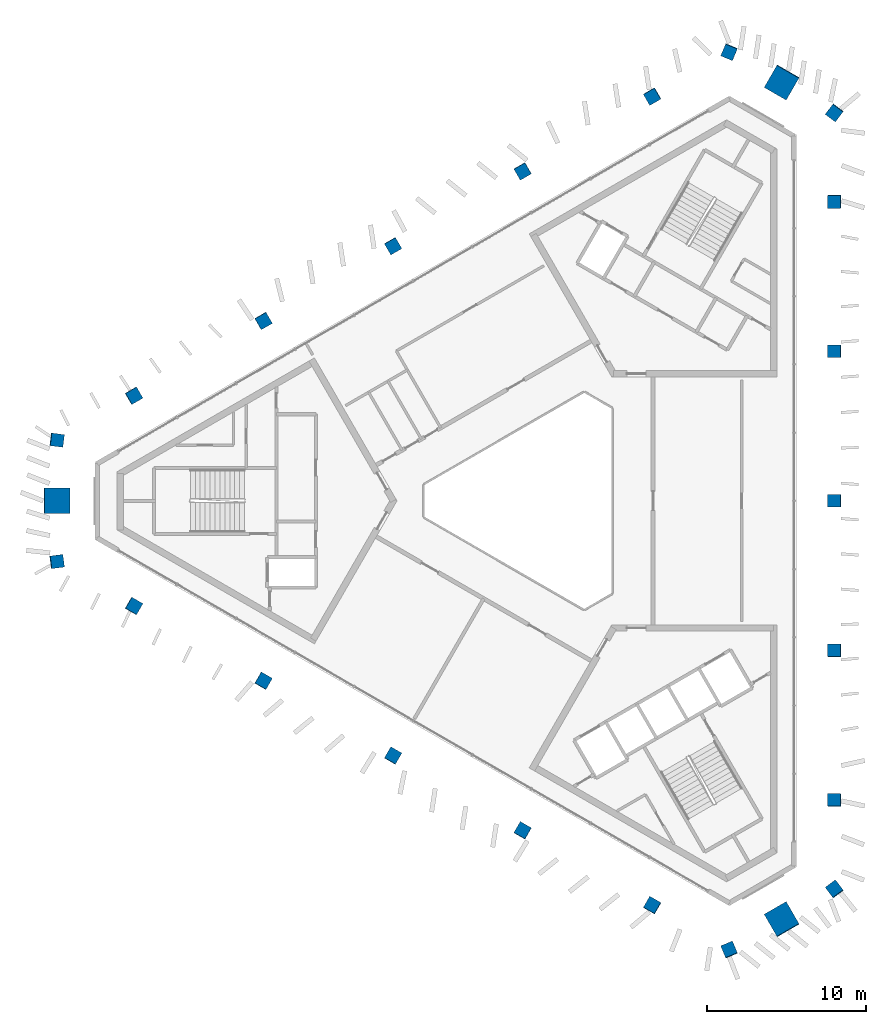
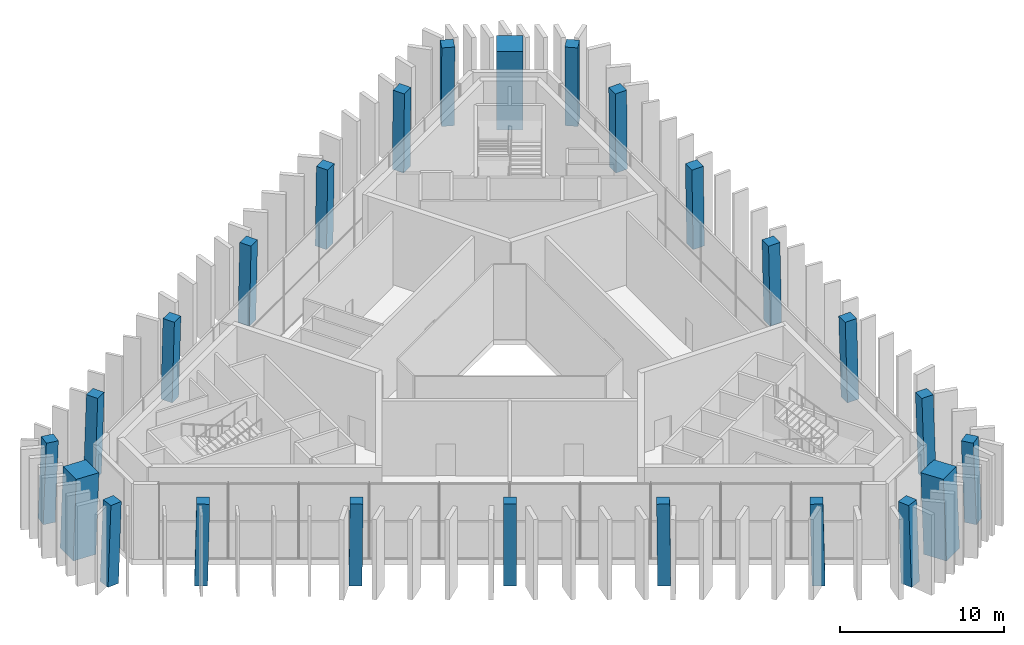
# One storey, part 1 of 12: 24 columns.
"""IFC4 building model written with IfcOpenShell, lengths in metres."""

import ifcopenshell
import ifcopenshell.guid

model = None  # the IFC model being written
_history = None  # IfcOwnerHistory: only IFC2X3 demands one
_inside = {}  # id of a spatial element -> (the spatial element, [elements in it])
_under = {}  # id of a project, library or spatial element -> (it, [spatial elements below it])
_declared = {}  # id of a project -> (the project, [libraries it declares])
_typed = {}  # id of a type object -> (the type object, [elements of that type])
_made_of = {}  # id of a material, layer set ... -> (it, [elements and type objects made of it])


def new_model(schema):
    """Start an empty IFC model of exactly this schema.

    Asked for "IFC4X3", IfcOpenShell would pick the latest addendum, in which some entities
    have other attributes; the version numbers below select the first issue.
    IFC2X3 requires an IfcOwnerHistory on every rooted entity: one is made here for all.
    """
    global model, _history
    if schema == "IFC4X3":
        model = ifcopenshell.file(schema_version=(4, 3, 0, 0))
    else:
        model = ifcopenshell.file(schema=schema)
    _inside.clear()
    _under.clear()
    _declared.clear()
    _typed.clear()
    _made_of.clear()
    _history = None
    if model.schema == "IFC2X3":
        org = make("IfcOrganization", Name="unknown")
        user = make(
            "IfcPersonAndOrganization",
            ThePerson=make("IfcPerson", FamilyName="unknown"),
            TheOrganization=org,
        )
        app = make(
            "IfcApplication",
            ApplicationDeveloper=org,
            Version="unknown",
            ApplicationFullName="unknown",
            ApplicationIdentifier="unknown",
        )
        _history = make(
            "IfcOwnerHistory",
            OwningUser=user,
            OwningApplication=app,
            ChangeAction="ADDED",
            CreationDate=0,
        )
    return model


def make(cls, **values):
    """One entity of the class cls with the attributes given. An attribute that is None is left unset."""
    return model.create_entity(
        cls, **{name: value for name, value in values.items() if value is not None}
    )


def rooted(cls, **values):
    """An entity with a GlobalId (a new one), such as an element, a storey or a relation."""
    return make(cls, GlobalId=ifcopenshell.guid.new(), OwnerHistory=_history, **values)


def si_unit(unit_type, name, prefix=None):
    """IfcSIUnit, for example si_unit("LENGTHUNIT", "METRE", prefix="MILLI")."""
    return make("IfcSIUnit", UnitType=unit_type, Prefix=prefix, Name=name)


def assignment(units):
    """IfcUnitAssignment: the units of a project."""
    return None if units is None else make("IfcUnitAssignment", Units=units)


def point(xyz):
    """IfcCartesianPoint."""
    return None if xyz is None else make("IfcCartesianPoint", Coordinates=xyz)


def direction(xyz):
    """IfcDirection."""
    return None if xyz is None else make("IfcDirection", DirectionRatios=xyz)


def frame(location, z_axis=None, x_axis=None):
    """IfcAxis2Placement3D, a coordinate frame: its origin and axes. An axis left out is left unset."""
    return make(
        "IfcAxis2Placement3D",
        Location=point(location),
        Axis=direction(z_axis),
        RefDirection=direction(x_axis),
    )


def frame_2d(location, x_axis=None):
    """IfcAxis2Placement2D, a coordinate frame in the plane: its origin and x axis."""
    return make(
        "IfcAxis2Placement2D", Location=point(location), RefDirection=direction(x_axis)
    )


def origin():
    """The frame at (0, 0, 0) with its axes left unset."""
    return frame((0.0, 0.0, 0.0))


def origin_2d():
    """The frame at (0, 0) in the plane with its x axis left unset."""
    return frame_2d((0.0, 0.0))


def place(relative_to, where):
    """IfcLocalPlacement: puts the frame where relative to a parent placement (None: the world)."""
    return make(
        "IfcLocalPlacement", PlacementRelTo=relative_to, RelativePlacement=where
    )


def context(
    kind, dimensions, precision=None, world=None, true_north=None, identifier=None
):
    """IfcGeometricRepresentationContext, for example the 3D "Model" context."""
    return make(
        "IfcGeometricRepresentationContext",
        ContextIdentifier=identifier,
        ContextType=kind,
        CoordinateSpaceDimension=dimensions,
        Precision=precision,
        WorldCoordinateSystem=world,
        TrueNorth=true_north,
    )


def subcontext(parent, identifier, kind, view, scale=None):
    """IfcGeometricRepresentationSubContext, for example "Body" below "Model"."""
    return make(
        "IfcGeometricRepresentationSubContext",
        ContextIdentifier=identifier,
        ContextType=kind,
        ParentContext=parent,
        TargetScale=scale,
        TargetView=view,
    )


def project(units=None, contexts=None):
    """IfcProject with its units and contexts."""
    return rooted(
        "IfcProject",
        Name="project",
        RepresentationContexts=contexts,
        UnitsInContext=assignment(units),
    )


def spatial(cls, under=None, at=None, **own):
    """A site, building, storey or space (cls), placed at a placement, below another one or the project."""
    s = rooted(cls, ObjectPlacement=at, **own)
    if under is not None:
        _under.setdefault(under.id(), (under, []))[1].append(s)
    return s


def profile(cls, at=None, kind="AREA", **sizes):
    """A parametric profile (cls). Its sizes go by their IFC names, for example OverallWidth=200.0."""
    return make(cls, ProfileType=kind, Position=at, **sizes)


def rectangle(**sizes):
    """IfcRectangleProfileDef."""
    return profile("IfcRectangleProfileDef", **sizes)


def extrude(swept, where, along, depth):
    """IfcExtrudedAreaSolid: the profile swept, set in the frame where, extruded along a direction by depth."""
    return make(
        "IfcExtrudedAreaSolid",
        SweptArea=swept,
        Position=where,
        ExtrudedDirection=direction(along),
        Depth=depth,
    )


def shape(context_of_items, identifier, shape_type, items):
    """IfcShapeRepresentation: the items that make up one representation, for example the "Body"."""
    return make(
        "IfcShapeRepresentation",
        ContextOfItems=context_of_items,
        RepresentationIdentifier=identifier,
        RepresentationType=shape_type,
        Items=items,
    )


def material(Name=None, Category=None):
    """IfcMaterial."""
    return make("IfcMaterial", Name=Name, Category=Category)


def material_profile(
    of_material, cross_section, Name=None, Category=None, Priority=None
):
    """IfcMaterialProfile: a cross section and its material."""
    return make(
        "IfcMaterialProfile",
        Name=Name,
        Material=of_material,
        Profile=cross_section,
        Priority=Priority,
        Category=Category,
    )


def profile_set(profiles, Name=None, composite=None):
    """IfcMaterialProfileSet."""
    return make(
        "IfcMaterialProfileSet",
        Name=Name,
        MaterialProfiles=profiles,
        CompositeProfile=composite,
    )


def made_of(thing, what):
    """Note that an element or type object is made of a material, layer set ...; save() writes the relation."""
    if what is not None:
        _made_of.setdefault(what.id(), (what, []))[1].append(thing)
    return thing


def type_object(cls, material=None, **own):
    """A type object (cls), such as IfcWallType, which elements share."""
    return made_of(rooted(cls, **own), material)


def element(
    cls,
    number,
    at=None,
    inside=None,
    cuts=None,
    type_object=None,
    material=None,
    context=None,
    identifier="Body",
    shape_type=None,
    held_by="IfcProductDefinitionShape",
    body=None,
    shapes=None,
    **own,
):
    """One element of the class cls, such as IfcWall. Its Tag is "e" and its number.

    at: its placement. inside: the storey or other place that contains it. cuts: it is an
    opening in that element (IfcRelVoidsElement). A single representation is given by context,
    identifier, shape_type and body (its items); several are given by shapes. held_by: the class
    of the entity that holds the representations. save() writes the other relations.
    """
    e = rooted(cls, Tag="e%d" % number, ObjectPlacement=at, **own)
    if body is not None:
        shapes = [shape(context, identifier, shape_type, body)]
    if shapes is not None:
        e.Representation = make(held_by, Representations=shapes)
    if inside is not None:
        _inside.setdefault(inside.id(), (inside, []))[1].append(e)
    if cuts is not None:
        rooted(
            "IfcRelVoidsElement", RelatingBuildingElement=cuts, RelatedOpeningElement=e
        )
    if type_object is not None:
        _typed.setdefault(type_object.id(), (type_object, []))[1].append(e)
    return made_of(e, material)


def aggregate(whole, parts):
    """IfcRelAggregates: a whole, such as a stair, and the parts it consists of."""
    return rooted("IfcRelAggregates", RelatingObject=whole, RelatedObjects=parts)


def save(model, path):
    """Write the relations noted so far, then the file.

    IfcRelAggregates (storeys below a building ...), IfcRelContainedInSpatialStructure (elements
    in a storey), IfcRelDefinesByType, IfcRelAssociatesMaterial and IfcRelDeclares: one each for
    every whole, place, type object, material and project.
    """
    for whole, parts in _under.values():
        aggregate(whole, parts)
    for where, things in _inside.values():
        rooted(
            "IfcRelContainedInSpatialStructure",
            RelatedElements=things,
            RelatingStructure=where,
        )
    for kind, things in _typed.values():
        rooted("IfcRelDefinesByType", RelatedObjects=things, RelatingType=kind)
    for what, things in _made_of.values():
        rooted("IfcRelAssociatesMaterial", RelatedObjects=things, RelatingMaterial=what)
    for by, libraries in _declared.values():
        rooted("IfcRelDeclares", RelatingContext=by, RelatedDefinitions=libraries)
    model.write(path)


model = new_model("IFC4")

# Units and contexts
model_context = context("Model", 3, precision=1e-05, world=origin(), true_north=direction((0.0, 1.0)))
body_context = subcontext(model_context, "Body", "Model", "MODEL_VIEW")
ifc_project = project(units=[si_unit("LENGTHUNIT", "METRE"), si_unit("AREAUNIT", "SQUARE_METRE"), si_unit("VOLUMEUNIT", "CUBIC_METRE"), si_unit("PLANEANGLEUNIT", "RADIAN"), si_unit("MASSUNIT", "GRAM", prefix="KILO")], contexts=[model_context])

# Site, building, storey
site_placement = place(None, origin())
site = spatial("IfcSite", under=ifc_project, at=site_placement, CompositionType="ELEMENT")
building_placement = place(site_placement, origin())
building = spatial("IfcBuilding", under=site, at=building_placement, Name="Jabali Bay Hotel Tower and Convention Centre", CompositionType="ELEMENT")
storey_placement = place(building_placement, frame((0.0, 0.0, 304.800048828125)))
storey = spatial("IfcBuildingStorey", under=building, at=storey_placement, Name="L75", CompositionType="ELEMENT", Elevation=304.800048828125)

# Columns
ifc_material_1 = material(Name="Concrete C60", Category="concrete")
ifc_material_profile_1 = material_profile(ifc_material_1, rectangle(XDim=0.800048828125, YDim=0.800048828125, at=origin_2d()), Name="Frame column 800")
ifc_profile_set_1 = profile_set([ifc_material_profile_1], Name="Concrete C60")
column_type_1 = type_object("IfcColumnType", Name="Frame column 800", PredefinedType="COLUMN", material=ifc_profile_set_1)
column_1_placement = place(storey_placement, frame((82.046630859375, 105.4326171875, 0.0), z_axis=(-0.008378546441, -0.028145408434, 0.999568724973), x_axis=(0.86597246674, 0.499636702524, 0.021327267509)))
element("IfcColumn", 1, at=column_1_placement, inside=storey, type_object=column_type_1, Name="FC6 F1.1 L75", PredefinedType="COLUMN", context=body_context, shape_type="SweptSolid", body=[
    extrude(rectangle(XDim=0.800048828125, YDim=0.800048828125, at=origin_2d()), origin(), (0.0, 0.0, 1.0), 6.002685546875),
])
column_2_placement = place(storey_placement, frame((73.897705078125, 100.72802734375, 0.0), z_axis=(0.000854269334, -0.022821195063, 0.999739197631), x_axis=(0.866126375085, 0.499711236575, 0.010666884352)))
element("IfcColumn", 2, at=column_2_placement, inside=storey, type_object=column_type_1, Name="FC6 F1.2 L75", PredefinedType="COLUMN", context=body_context, shape_type="SweptSolid", body=[
    extrude(rectangle(XDim=0.800048828125, YDim=0.800048828125, at=origin_2d()), origin(), (0.0, 0.0, 1.0), 6.00146484375),
])
column_3_placement = place(storey_placement, frame((65.7490234375, 96.023193359375, 0.0), z_axis=(0.010089095206, -0.017452507433, 0.999796789424), x_axis=(-0.500377174872, 0.865572817855, 0.020158865488)))
element("IfcColumn", 3, at=column_3_placement, inside=storey, type_object=column_type_1, Name="FC6 F1.3 L75", PredefinedType="COLUMN", context=body_context, shape_type="SweptSolid", body=[
    extrude(rectangle(XDim=0.800048828125, YDim=0.800048828125, at=origin_2d()), origin(), (0.0, 0.0, 1.0), 6.001220703125),
])
column_4_placement = place(storey_placement, frame((57.60009765625, 91.318603515625, 0.0), z_axis=(0.019322760918, -0.012163169504, 0.999739310129), x_axis=(-0.499287947534, 0.866200880025, 0.02018863274)))
element("IfcColumn", 4, at=column_4_placement, inside=storey, type_object=column_type_1, Name="FC6 F1.4 L75", PredefinedType="COLUMN", context=body_context, shape_type="SweptSolid", body=[
    extrude(rectangle(XDim=0.800048828125, YDim=0.800048828125, at=origin_2d()), origin(), (0.0, 0.0, 1.0), 6.00146484375),
])
for number, where, z_axis, x_axis, name in (
    (5, (49.451416015625, 86.61376953125, 0.0), (0.028552148325, -0.006792320186, 0.999569226824), (-0.500389896719, 0.865565085304, 0.020175092641), "FC6 F1.5 L75"),
    (6, (49.451416015625, 73.38623046875, 0.0), (0.028552148325, 0.006792320186, 0.999569226824), (-0.865329258772, 0.500750384412, 0.021314934304), "FC6 F2.1 L75"),
):
    element("IfcColumn", number, at=place(storey_placement, frame(where, z_axis=z_axis, x_axis=x_axis)), inside=storey, type_object=column_type_1, Name=name, PredefinedType="COLUMN", context=body_context, shape_type="SweptSolid", body=[
        extrude(rectangle(XDim=0.800048828125, YDim=0.800048828125, at=origin_2d()), origin(), (0.0, 0.0, 1.0), 6.002685546875),
    ])
column_5_placement = place(storey_placement, frame((57.60009765625, 68.681396484375, 0.0), z_axis=(0.019322760918, 0.012163169504, 0.999739310129), x_axis=(-0.866220627991, 0.499547888347, 0.010664468574)))
element("IfcColumn", 7, at=column_5_placement, inside=storey, type_object=column_type_1, Name="FC6 F2.2 L75", PredefinedType="COLUMN", context=body_context, shape_type="SweptSolid", body=[
    extrude(rectangle(XDim=0.800048828125, YDim=0.800048828125, at=origin_2d()), origin(), (0.0, 0.0, 1.0), 6.00146484375),
])
column_6_placement = place(storey_placement, frame((65.7490234375, 63.976806640625, 0.0), z_axis=(0.010089095206, 0.017452507433, 0.999796789424), x_axis=(-0.865748747053, 0.500478877652, 1.0203e-08)))
element("IfcColumn", 8, at=column_6_placement, inside=storey, type_object=column_type_1, Name="FC6 F2.3 L75", PredefinedType="COLUMN", context=body_context, shape_type="SweptSolid", body=[
    extrude(rectangle(XDim=0.800048828125, YDim=0.800048828125, at=origin_2d()), origin(), (0.0, 0.0, 1.0), 6.001220703125),
])
column_7_placement = place(storey_placement, frame((73.897705078125, 59.27197265625, 0.0), z_axis=(0.000854269334, 0.022821195063, 0.999739197631), x_axis=(-0.49982434175, -0.865891374883, 0.02019292694)))
element("IfcColumn", 9, at=column_7_placement, inside=storey, type_object=column_type_1, Name="FC6 F2.4 L75", PredefinedType="COLUMN", context=body_context, shape_type="SweptSolid", body=[
    extrude(rectangle(XDim=0.800048828125, YDim=0.800048828125, at=origin_2d()), origin(), (0.0, 0.0, 1.0), 6.00146484375),
])
for number, where, z_axis, x_axis, name in (
    (10, (82.046630859375, 54.5673828125, 0.0), (-0.008378546441, 0.028145408434, 0.999568724973), (-0.500021486346, -0.865777685942, 0.020186919453), "FC6 F2.5 L75"),
    (11, (93.502197265625, 61.18115234375, 0.0), (-0.020214255339, 0.021312414079, 0.999568489343), (0.000808836673, -0.999772096079, 0.021333112393), "FC6 F0.1 L75"),
):
    element("IfcColumn", number, at=place(storey_placement, frame(where, z_axis=z_axis, x_axis=x_axis)), inside=storey, type_object=column_type_1, Name=name, PredefinedType="COLUMN", context=body_context, shape_type="SweptSolid", body=[
        extrude(rectangle(XDim=0.800048828125, YDim=0.800048828125, at=origin_2d()), origin(), (0.0, 0.0, 1.0), 6.002685546875),
    ])
column_8_placement = place(storey_placement, frame((93.502197265625, 70.590576171875, 0.0), z_axis=(-0.020217699356, 0.010658022598, 0.999738791479), x_axis=(0.000745497038, -0.999942739751, 0.010675273024)))
element("IfcColumn", 12, at=column_8_placement, inside=storey, type_object=column_type_1, Name="FC6 F0.2 L75", PredefinedType="COLUMN", context=body_context, shape_type="SweptSolid", body=[
    extrude(rectangle(XDim=0.800048828125, YDim=0.800048828125, at=origin_2d()), origin(), (0.0, 0.0, 1.0), 6.00146484375),
])
column_9_placement = place(storey_placement, frame((93.502197265625, 80.0, 0.0), z_axis=(-0.020218847753, 0.0, 0.999795578204), x_axis=(0.0, -1.0, 0.0)))
element("IfcColumn", 13, at=column_9_placement, inside=storey, type_object=column_type_1, Name="FC6 F0.3 L75", PredefinedType="COLUMN", context=body_context, shape_type="SweptSolid", body=[
    extrude(rectangle(XDim=0.800048828125, YDim=0.800048828125, at=origin_2d()), origin(), (0.0, 0.0, 1.0), 6.001220703125),
])
column_10_placement = place(storey_placement, frame((93.502197265625, 89.409423828125, 0.0), z_axis=(-0.020217699356, -0.010658022598, 0.999738791479), x_axis=(0.999795323487, -0.000961131768, 0.020208596161)))
element("IfcColumn", 14, at=column_10_placement, inside=storey, type_object=column_type_1, Name="FC6 F0.4 L75", PredefinedType="COLUMN", context=body_context, shape_type="SweptSolid", body=[
    extrude(rectangle(XDim=0.800048828125, YDim=0.800048828125, at=origin_2d()), origin(), (0.0, 0.0, 1.0), 6.00146484375),
])
column_11_placement = place(storey_placement, frame((93.502197265625, 98.81884765625, 0.0), z_axis=(-0.020214255339, -0.021312414079, 0.999568489343), x_axis=(0.99979534389, -0.001239720633, 0.020192410169)))
element("IfcColumn", 15, at=column_11_placement, inside=storey, type_object=column_type_1, Name="FC6 F0.5 L75", PredefinedType="COLUMN", context=body_context, shape_type="SweptSolid", body=[
    extrude(rectangle(XDim=0.800048828125, YDim=0.800048828125, at=origin_2d()), origin(), (0.0, 0.0, 1.0), 6.002685546875),
])
for number, where, z_axis, x_axis, name in (
    (16, (93.502197265625, 55.590087890625, 0.0), (-0.02021032366, 0.029034549484, 0.999374072985), (-0.796793560717, -0.60424990151, 0.001441570231), "FC6 V0 L75"),
    (17, (93.502197265625, 104.409912109375, 0.0), (-0.02021032366, -0.029034549484, 0.999374072985), (0.603913540515, 0.796265691501, 0.035346628148), "FC6 V1 L75"),
    (18, (86.888427734375, 108.228271484375, 0.0), (-0.015005266182, -0.032003101585, 0.999375126504), (0.921953549746, -0.387297789262, 0.00144032795), "FC6 V2 L75"),
    (19, (44.609375, 83.818359375, 0.0), (0.035215618281, -0.002968522095, 0.999375328946), (-0.991593838068, 0.124478038302, 0.03531116376), "FC6 V3 L75"),
    (20, (44.609375, 76.181640625, 0.0), (0.035215618281, 0.002968522095, 0.999375328946), (-0.124505102444, 0.992217922564, 0.001440002863), "FC6 V4 L75"),
    (21, (86.888427734375, 51.771728515625, 0.0), (-0.015005266182, 0.032003101585, 0.999375126504), (0.387009682176, -0.921399057912, 0.035316879529), "FC6 V5 L75"),
):
    element("IfcColumn", number, at=place(storey_placement, frame(where, z_axis=z_axis, x_axis=x_axis)), inside=storey, type_object=column_type_1, Name=name, PredefinedType="COLUMN", context=body_context, shape_type="SweptSolid", body=[
        extrude(rectangle(XDim=0.800048828125, YDim=0.800048828125, at=origin_2d()), origin(), (0.0, 0.0, 1.0), 6.003662109375),
    ])
ifc_material_2 = material(Name="Concrete C70", Category="concrete")
ifc_material_profile_2 = material_profile(ifc_material_2, rectangle(XDim=1.60009765625, YDim=1.60009765625, at=origin_2d()), Name="Mega column 1600")
ifc_profile_set_2 = profile_set([ifc_material_profile_2], Name="Concrete C70")
column_type_2 = type_object("IfcColumnType", Name="Mega column 1600", PredefinedType="COLUMN", material=ifc_profile_set_2)
for number, where, z_axis, x_axis, name in (
    (22, (90.1953125, 106.319091796875, 0.0), (-0.017607886242, -0.030498648224, 0.999379705016), (0.499680098487, 0.865493843984, 0.035216547267), "MC6 M1 L75"),
    (23, (44.609375, 80.0, 0.0), (0.035215773444, 0.0, 0.999379732284), (0.0, 1.0, 0.0), "MC6 M0 L75"),
    (24, (90.1953125, 53.680908203125, 0.0), (-0.017607886242, 0.030498648224, 0.999379705016), (-0.866031039581, -0.499990238387, 5.0401e-08), "MC6 M2 L75"),
):
    element("IfcColumn", number, at=place(storey_placement, frame(where, z_axis=z_axis, x_axis=x_axis)), inside=storey, type_object=column_type_2, Name=name, PredefinedType="COLUMN", context=body_context, shape_type="SweptSolid", body=[
        extrude(rectangle(XDim=1.60009765625, YDim=1.60009765625, at=origin_2d()), origin(), (0.0, 0.0, 1.0), 6.003662109375),
    ])

save(model, "model.ifc")
